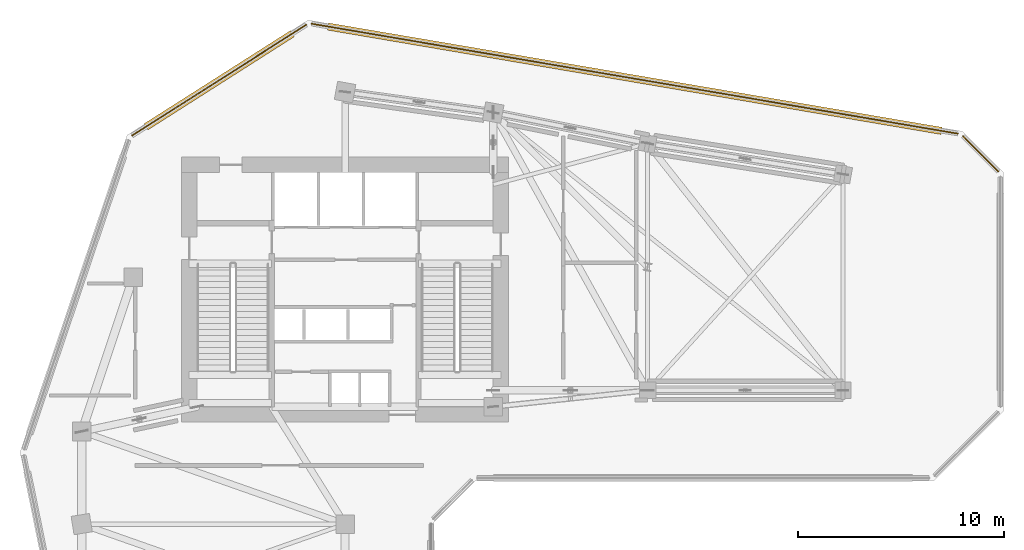
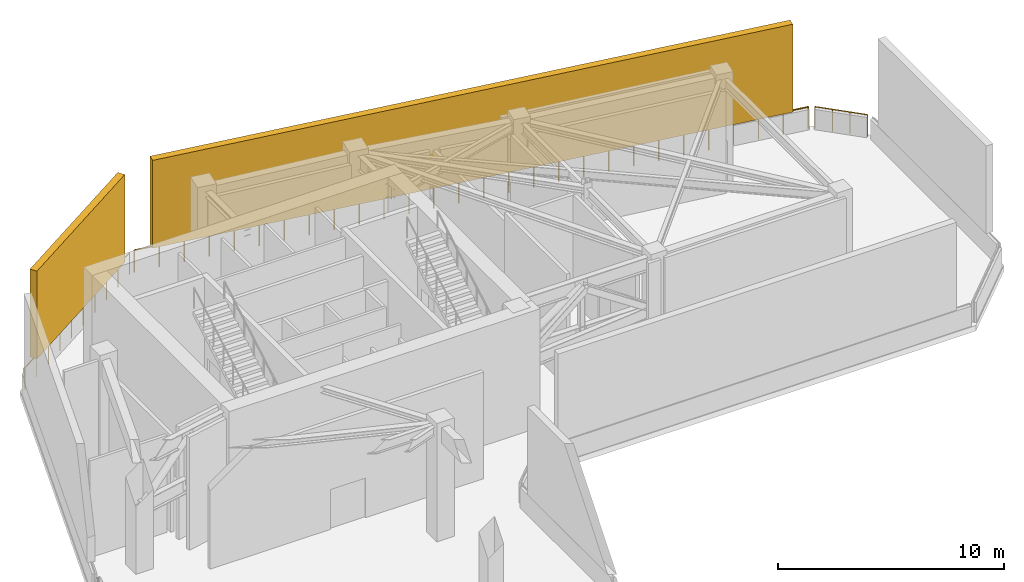
# One storey, part 10 of 10: 3 railings, 2 shading devices.
"""IFC4 building model written with IfcOpenShell, lengths in metres."""

import ifcopenshell
import ifcopenshell.guid

model = None  # the IFC model being written
_history = None  # IfcOwnerHistory: only IFC2X3 demands one
_inside = {}  # id of a spatial element -> (the spatial element, [elements in it])
_under = {}  # id of a project, library or spatial element -> (it, [spatial elements below it])
_declared = {}  # id of a project -> (the project, [libraries it declares])
_typed = {}  # id of a type object -> (the type object, [elements of that type])
_made_of = {}  # id of a material, layer set ... -> (it, [elements and type objects made of it])


def new_model(schema):
    """Start an empty IFC model of exactly this schema.

    Asked for "IFC4X3", IfcOpenShell would pick the latest addendum, in which some entities
    have other attributes; the version numbers below select the first issue.
    IFC2X3 requires an IfcOwnerHistory on every rooted entity: one is made here for all.
    """
    global model, _history
    if schema == "IFC4X3":
        model = ifcopenshell.file(schema_version=(4, 3, 0, 0))
    else:
        model = ifcopenshell.file(schema=schema)
    _inside.clear()
    _under.clear()
    _declared.clear()
    _typed.clear()
    _made_of.clear()
    _history = None
    if model.schema == "IFC2X3":
        org = make("IfcOrganization", Name="unknown")
        user = make(
            "IfcPersonAndOrganization",
            ThePerson=make("IfcPerson", FamilyName="unknown"),
            TheOrganization=org,
        )
        app = make(
            "IfcApplication",
            ApplicationDeveloper=org,
            Version="unknown",
            ApplicationFullName="unknown",
            ApplicationIdentifier="unknown",
        )
        _history = make(
            "IfcOwnerHistory",
            OwningUser=user,
            OwningApplication=app,
            ChangeAction="ADDED",
            CreationDate=0,
        )
    return model


def make(cls, **values):
    """One entity of the class cls with the attributes given. An attribute that is None is left unset."""
    return model.create_entity(
        cls, **{name: value for name, value in values.items() if value is not None}
    )


def rooted(cls, **values):
    """An entity with a GlobalId (a new one), such as an element, a storey or a relation."""
    return make(cls, GlobalId=ifcopenshell.guid.new(), OwnerHistory=_history, **values)


def si_unit(unit_type, name, prefix=None):
    """IfcSIUnit, for example si_unit("LENGTHUNIT", "METRE", prefix="MILLI")."""
    return make("IfcSIUnit", UnitType=unit_type, Prefix=prefix, Name=name)


def assignment(units):
    """IfcUnitAssignment: the units of a project."""
    return None if units is None else make("IfcUnitAssignment", Units=units)


def point(xyz):
    """IfcCartesianPoint."""
    return None if xyz is None else make("IfcCartesianPoint", Coordinates=xyz)


def direction(xyz):
    """IfcDirection."""
    return None if xyz is None else make("IfcDirection", DirectionRatios=xyz)


def frame(location, z_axis=None, x_axis=None):
    """IfcAxis2Placement3D, a coordinate frame: its origin and axes. An axis left out is left unset."""
    return make(
        "IfcAxis2Placement3D",
        Location=point(location),
        Axis=direction(z_axis),
        RefDirection=direction(x_axis),
    )


def frame_2d(location, x_axis=None):
    """IfcAxis2Placement2D, a coordinate frame in the plane: its origin and x axis."""
    return make(
        "IfcAxis2Placement2D", Location=point(location), RefDirection=direction(x_axis)
    )


def origin():
    """The frame at (0, 0, 0) with its axes left unset."""
    return frame((0.0, 0.0, 0.0))


def origin_2d():
    """The frame at (0, 0) in the plane with its x axis left unset."""
    return frame_2d((0.0, 0.0))


def place(relative_to, where):
    """IfcLocalPlacement: puts the frame where relative to a parent placement (None: the world)."""
    return make(
        "IfcLocalPlacement", PlacementRelTo=relative_to, RelativePlacement=where
    )


def context(
    kind, dimensions, precision=None, world=None, true_north=None, identifier=None
):
    """IfcGeometricRepresentationContext, for example the 3D "Model" context."""
    return make(
        "IfcGeometricRepresentationContext",
        ContextIdentifier=identifier,
        ContextType=kind,
        CoordinateSpaceDimension=dimensions,
        Precision=precision,
        WorldCoordinateSystem=world,
        TrueNorth=true_north,
    )


def subcontext(parent, identifier, kind, view, scale=None):
    """IfcGeometricRepresentationSubContext, for example "Body" below "Model"."""
    return make(
        "IfcGeometricRepresentationSubContext",
        ContextIdentifier=identifier,
        ContextType=kind,
        ParentContext=parent,
        TargetScale=scale,
        TargetView=view,
    )


def project(units=None, contexts=None):
    """IfcProject with its units and contexts."""
    return rooted(
        "IfcProject",
        Name="project",
        RepresentationContexts=contexts,
        UnitsInContext=assignment(units),
    )


def spatial(cls, under=None, at=None, **own):
    """A site, building, storey or space (cls), placed at a placement, below another one or the project."""
    s = rooted(cls, ObjectPlacement=at, **own)
    if under is not None:
        _under.setdefault(under.id(), (under, []))[1].append(s)
    return s


def profile(cls, at=None, kind="AREA", **sizes):
    """A parametric profile (cls). Its sizes go by their IFC names, for example OverallWidth=200.0."""
    return make(cls, ProfileType=kind, Position=at, **sizes)


def rectangle(**sizes):
    """IfcRectangleProfileDef."""
    return profile("IfcRectangleProfileDef", **sizes)


def circle(**sizes):
    """IfcCircleProfileDef."""
    return profile("IfcCircleProfileDef", **sizes)


def extrude(swept, where, along, depth):
    """IfcExtrudedAreaSolid: the profile swept, set in the frame where, extruded along a direction by depth."""
    return make(
        "IfcExtrudedAreaSolid",
        SweptArea=swept,
        Position=where,
        ExtrudedDirection=direction(along),
        Depth=depth,
    )


def shape(context_of_items, identifier, shape_type, items):
    """IfcShapeRepresentation: the items that make up one representation, for example the "Body"."""
    return make(
        "IfcShapeRepresentation",
        ContextOfItems=context_of_items,
        RepresentationIdentifier=identifier,
        RepresentationType=shape_type,
        Items=items,
    )


def material(Name=None, Category=None):
    """IfcMaterial."""
    return make("IfcMaterial", Name=Name, Category=Category)


def made_of(thing, what):
    """Note that an element or type object is made of a material, layer set ...; save() writes the relation."""
    if what is not None:
        _made_of.setdefault(what.id(), (what, []))[1].append(thing)
    return thing


def type_object(cls, material=None, **own):
    """A type object (cls), such as IfcWallType, which elements share."""
    return made_of(rooted(cls, **own), material)


def element(
    cls,
    number,
    at=None,
    inside=None,
    cuts=None,
    type_object=None,
    material=None,
    context=None,
    identifier="Body",
    shape_type=None,
    held_by="IfcProductDefinitionShape",
    body=None,
    shapes=None,
    **own,
):
    """One element of the class cls, such as IfcWall. Its Tag is "e" and its number.

    at: its placement. inside: the storey or other place that contains it. cuts: it is an
    opening in that element (IfcRelVoidsElement). A single representation is given by context,
    identifier, shape_type and body (its items); several are given by shapes. held_by: the class
    of the entity that holds the representations. save() writes the other relations.
    """
    e = rooted(cls, Tag="e%d" % number, ObjectPlacement=at, **own)
    if body is not None:
        shapes = [shape(context, identifier, shape_type, body)]
    if shapes is not None:
        e.Representation = make(held_by, Representations=shapes)
    if inside is not None:
        _inside.setdefault(inside.id(), (inside, []))[1].append(e)
    if cuts is not None:
        rooted(
            "IfcRelVoidsElement", RelatingBuildingElement=cuts, RelatedOpeningElement=e
        )
    if type_object is not None:
        _typed.setdefault(type_object.id(), (type_object, []))[1].append(e)
    return made_of(e, material)


def aggregate(whole, parts):
    """IfcRelAggregates: a whole, such as a stair, and the parts it consists of."""
    return rooted("IfcRelAggregates", RelatingObject=whole, RelatedObjects=parts)


def save(model, path):
    """Write the relations noted so far, then the file.

    IfcRelAggregates (storeys below a building ...), IfcRelContainedInSpatialStructure (elements
    in a storey), IfcRelDefinesByType, IfcRelAssociatesMaterial and IfcRelDeclares: one each for
    every whole, place, type object, material and project.
    """
    for whole, parts in _under.values():
        aggregate(whole, parts)
    for where, things in _inside.values():
        rooted(
            "IfcRelContainedInSpatialStructure",
            RelatedElements=things,
            RelatingStructure=where,
        )
    for kind, things in _typed.values():
        rooted("IfcRelDefinesByType", RelatedObjects=things, RelatingType=kind)
    for what, things in _made_of.values():
        rooted("IfcRelAssociatesMaterial", RelatedObjects=things, RelatingMaterial=what)
    for by, libraries in _declared.values():
        rooted("IfcRelDeclares", RelatingContext=by, RelatedDefinitions=libraries)
    model.write(path)


model = new_model("IFC4")

# Units and contexts
model_context = context("Model", 3, precision=1e-05, world=origin(), true_north=direction((0.0, 1.0)))
body_context = subcontext(model_context, "Body", "Model", "MODEL_VIEW")
ifc_project = project(units=[si_unit("LENGTHUNIT", "METRE"), si_unit("AREAUNIT", "SQUARE_METRE"), si_unit("VOLUMEUNIT", "CUBIC_METRE"), si_unit("PLANEANGLEUNIT", "RADIAN"), si_unit("MASSUNIT", "GRAM", prefix="KILO")], contexts=[model_context])

# Site, building, storey
site_placement = place(None, origin())
site = spatial("IfcSite", under=ifc_project, at=site_placement, CompositionType="ELEMENT")
building_placement = place(site_placement, origin())
building = spatial("IfcBuilding", under=site, at=building_placement, Name="Calvemar Wedge Station Tower", CompositionType="ELEMENT")
storey_placement = place(building_placement, frame((0.0, 0.0, 171.800048828125)))
storey = spatial("IfcBuildingStorey", under=building, at=storey_placement, Name="L43", CompositionType="ELEMENT", Elevation=171.800048828125)

# Railings
ifc_material_1 = material(Name="Stainless steel AISI 316L", Category="steel")
railing_type = type_object("IfcRailingType", Name="GRD-WIND-1200", PredefinedType="GUARDRAIL", material=ifc_material_1)
railing_1_placement = place(storey_placement, frame((55.5439453125, 45.635986328125, 0.0)))
element("IfcRailing", 1, at=railing_1_placement, inside=storey, type_object=railing_type, Name="Wind Floor L43 Perimeter Safety Guard 9", PredefinedType="GUARDRAIL", context=body_context, shape_type="SweptSolid", body=[
    extrude(circle(Radius=0.02392578125, at=origin_2d()), frame((0.0, 0.0, 1.17578125), z_axis=(-0.707106781187, 0.707106781187, 0.0), x_axis=(-0.707106781187, -0.707106781187, 0.0)), (0.0, 0.0, 1.0), 2.418701171875),
    extrude(circle(Radius=0.02099609375, at=origin_2d()), origin(), (0.0, 0.0, 1.0), 1.15185546875),
    extrude(circle(Radius=0.02099609375, at=origin_2d()), frame((-0.570068359375, 0.570068359375, 0.0)), (0.0, 0.0, 1.0), 1.15185546875),
    extrude(circle(Radius=0.02099609375, at=origin_2d()), frame((-1.14013671875, 1.14013671875, 0.0)), (0.0, 0.0, 1.0), 1.15185546875),
    extrude(circle(Radius=0.02099609375, at=origin_2d()), frame((-1.710205078125, 1.710205078125, 0.0)), (0.0, 0.0, 1.0), 1.15185546875),
])
railing_2_placement = place(storey_placement, frame((53.579833984375, 47.477294921875, 0.0)))
element("IfcRailing", 2, at=railing_2_placement, inside=storey, type_object=railing_type, Name="Wind Floor L43 Perimeter Safety Guard 10", PredefinedType="GUARDRAIL", context=body_context, shape_type="SweptSolid", body=[
    extrude(circle(Radius=0.02392578125, at=origin_2d()), frame((0.0, 0.0, 1.17578125), z_axis=(-0.98584514304, 0.1676584443, 0.0), x_axis=(-0.1676584443, -0.98584514304, 0.0)), (0.0, 0.0, 1.0), 31.85107421875),
    extrude(circle(Radius=0.02099609375, at=origin_2d()), origin(), (0.0, 0.0, 1.0), 1.15185546875),
    extrude(circle(Radius=0.02099609375, at=origin_2d()), frame((-1.1630859375, 0.19775390625, 0.0)), (0.0, 0.0, 1.0), 1.15185546875),
    extrude(circle(Radius=0.02099609375, at=origin_2d()), frame((-2.325927734375, 0.3955078125, 0.0)), (0.0, 0.0, 1.0), 1.15185546875),
    extrude(circle(Radius=0.02099609375, at=origin_2d()), frame((-3.489013671875, 0.59326171875, 0.0)), (0.0, 0.0, 1.0), 1.15185546875),
    extrude(circle(Radius=0.02099609375, at=origin_2d()), frame((-4.65185546875, 0.791015625, 0.0)), (0.0, 0.0, 1.0), 1.15185546875),
    extrude(circle(Radius=0.02099609375, at=origin_2d()), frame((-5.81494140625, 0.989013671875, 0.0)), (0.0, 0.0, 1.0), 1.15185546875),
    extrude(circle(Radius=0.02099609375, at=origin_2d()), frame((-6.977783203125, 1.186767578125, 0.0)), (0.0, 0.0, 1.0), 1.15185546875),
    extrude(circle(Radius=0.02099609375, at=origin_2d()), frame((-8.140869140625, 1.384521484375, 0.0)), (0.0, 0.0, 1.0), 1.15185546875),
    extrude(circle(Radius=0.02099609375, at=origin_2d()), frame((-9.3037109375, 1.582275390625, 0.0)), (0.0, 0.0, 1.0), 1.15185546875),
    extrude(circle(Radius=0.02099609375, at=origin_2d()), frame((-10.466796875, 1.780029296875, 0.0)), (0.0, 0.0, 1.0), 1.15185546875),
    extrude(circle(Radius=0.02099609375, at=origin_2d()), frame((-11.629638671875, 1.977783203125, 0.0)), (0.0, 0.0, 1.0), 1.15185546875),
    extrude(circle(Radius=0.02099609375, at=origin_2d()), frame((-12.792724609375, 2.175537109375, 0.0)), (0.0, 0.0, 1.0), 1.15185546875),
    extrude(circle(Radius=0.02099609375, at=origin_2d()), frame((-13.95556640625, 2.373291015625, 0.0)), (0.0, 0.0, 1.0), 1.15185546875),
    extrude(circle(Radius=0.02099609375, at=origin_2d()), frame((-15.11865234375, 2.571044921875, 0.0)), (0.0, 0.0, 1.0), 1.15185546875),
    extrude(circle(Radius=0.02099609375, at=origin_2d()), frame((-16.281494140625, 2.76904296875, 0.0)), (0.0, 0.0, 1.0), 1.15185546875),
    extrude(circle(Radius=0.02099609375, at=origin_2d()), frame((-17.444580078125, 2.966796875, 0.0)), (0.0, 0.0, 1.0), 1.15185546875),
    extrude(circle(Radius=0.02099609375, at=origin_2d()), frame((-18.607421875, 3.16455078125, 0.0)), (0.0, 0.0, 1.0), 1.15185546875),
    extrude(circle(Radius=0.02099609375, at=origin_2d()), frame((-19.7705078125, 3.3623046875, 0.0)), (0.0, 0.0, 1.0), 1.15185546875),
    extrude(circle(Radius=0.02099609375, at=origin_2d()), frame((-20.933349609375, 3.56005859375, 0.0)), (0.0, 0.0, 1.0), 1.15185546875),
    extrude(circle(Radius=0.02099609375, at=origin_2d()), frame((-22.096435546875, 3.7578125, 0.0)), (0.0, 0.0, 1.0), 1.15185546875),
    extrude(circle(Radius=0.02099609375, at=origin_2d()), frame((-23.25927734375, 3.95556640625, 0.0)), (0.0, 0.0, 1.0), 1.15185546875),
    extrude(circle(Radius=0.02099609375, at=origin_2d()), frame((-24.42236328125, 4.1533203125, 0.0)), (0.0, 0.0, 1.0), 1.15185546875),
    extrude(circle(Radius=0.02099609375, at=origin_2d()), frame((-25.585205078125, 4.35107421875, 0.0)), (0.0, 0.0, 1.0), 1.15185546875),
    extrude(circle(Radius=0.02099609375, at=origin_2d()), frame((-26.748291015625, 4.549072265625, 0.0)), (0.0, 0.0, 1.0), 1.15185546875),
    extrude(circle(Radius=0.02099609375, at=origin_2d()), frame((-27.9111328125, 4.746826171875, 0.0)), (0.0, 0.0, 1.0), 1.15185546875),
    extrude(circle(Radius=0.02099609375, at=origin_2d()), frame((-29.07421875, 4.944580078125, 0.0)), (0.0, 0.0, 1.0), 1.15185546875),
    extrude(circle(Radius=0.02099609375, at=origin_2d()), frame((-30.237060546875, 5.142333984375, 0.0)), (0.0, 0.0, 1.0), 1.15185546875),
    extrude(circle(Radius=0.02099609375, at=origin_2d()), frame((-31.400146484375, 5.340087890625, 0.0)), (0.0, 0.0, 1.0), 1.15185546875),
])
railing_3_placement = place(storey_placement, frame((21.9052734375, 52.761962890625, 0.0)))
element("IfcRailing", 3, at=railing_3_placement, inside=storey, type_object=railing_type, Name="Wind Floor L43 Perimeter Safety Guard 11", PredefinedType="GUARDRAIL", context=body_context, shape_type="SweptSolid", body=[
    extrude(circle(Radius=0.02392578125, at=origin_2d()), frame((0.0, 0.0, 1.17578125), z_axis=(-0.843658477939, -0.536880221839, 0.0), x_axis=(0.536880221839, -0.843658477939, 0.0)), (0.0, 0.0, 1.0), 10.020263671875),
    extrude(circle(Radius=0.02099609375, at=origin_2d()), origin(), (0.0, 0.0, 1.0), 1.15185546875),
    extrude(circle(Radius=0.02099609375, at=origin_2d()), frame((-0.939208984375, -0.59765625, 0.0)), (0.0, 0.0, 1.0), 1.15185546875),
    extrude(circle(Radius=0.02099609375, at=origin_2d()), frame((-1.878662109375, -1.195556640625, 0.0)), (0.0, 0.0, 1.0), 1.15185546875),
    extrude(circle(Radius=0.02099609375, at=origin_2d()), frame((-2.81787109375, -1.793212890625, 0.0)), (0.0, 0.0, 1.0), 1.15185546875),
    extrude(circle(Radius=0.02099609375, at=origin_2d()), frame((-3.757080078125, -2.390869140625, 0.0)), (0.0, 0.0, 1.0), 1.15185546875),
    extrude(circle(Radius=0.02099609375, at=origin_2d()), frame((-4.696533203125, -2.98876953125, 0.0)), (0.0, 0.0, 1.0), 1.15185546875),
    extrude(circle(Radius=0.02099609375, at=origin_2d()), frame((-5.6357421875, -3.58642578125, 0.0)), (0.0, 0.0, 1.0), 1.15185546875),
    extrude(circle(Radius=0.02099609375, at=origin_2d()), frame((-6.574951171875, -4.18408203125, 0.0)), (0.0, 0.0, 1.0), 1.15185546875),
    extrude(circle(Radius=0.02099609375, at=origin_2d()), frame((-7.514404296875, -4.781982421875, 0.0)), (0.0, 0.0, 1.0), 1.15185546875),
    extrude(circle(Radius=0.02099609375, at=origin_2d()), frame((-8.45361328125, -5.379638671875, 0.0)), (0.0, 0.0, 1.0), 1.15185546875),
])

# Shading devices
ifc_material_2 = material(Name="Anodised aluminium 6063-T6", Category="aluminium")
shading_device_type = type_object("IfcShadingDeviceType", Name="SHD-LOUVRE-1", PredefinedType="JALOUSIE", material=ifc_material_2)
shading_device_1_placement = place(storey_placement, frame((52.791259765625, 47.611328125, 1.199951171875), z_axis=(0.0, 0.0, 1.0), x_axis=(-0.985845417179, 0.16765683233, 0.0)))
element("IfcShadingDevice", 4, at=shading_device_1_placement, inside=storey, type_object=shading_device_type, Name="Wind Floor L43 Jalousie Intake Louvre 10", PredefinedType="JALOUSIE", context=body_context, shape_type="SweptSolid", body=[
    extrude(rectangle(XDim=30.2509765625, YDim=0.35009765625, at=frame_2d((15.12548828125, 0.0))), origin(), (0.0, 0.0, 1.0), 4.75),
])
shading_device_2_placement = place(storey_placement, frame((21.230224609375, 52.33251953125, 1.199951171875), z_axis=(0.0, 0.0, 1.0), x_axis=(-0.843656711949, -0.536882996922, 0.0)))
element("IfcShadingDevice", 5, at=shading_device_2_placement, inside=storey, type_object=shading_device_type, Name="Wind Floor L43 Jalousie Intake Louvre 11", PredefinedType="JALOUSIE", context=body_context, shape_type="SweptSolid", body=[
    extrude(rectangle(XDim=8.419921875, YDim=0.35009765625, at=frame_2d((4.2099609375, 0.0))), origin(), (0.0, 0.0, 1.0), 4.75),
])

save(model, "model.ifc")
